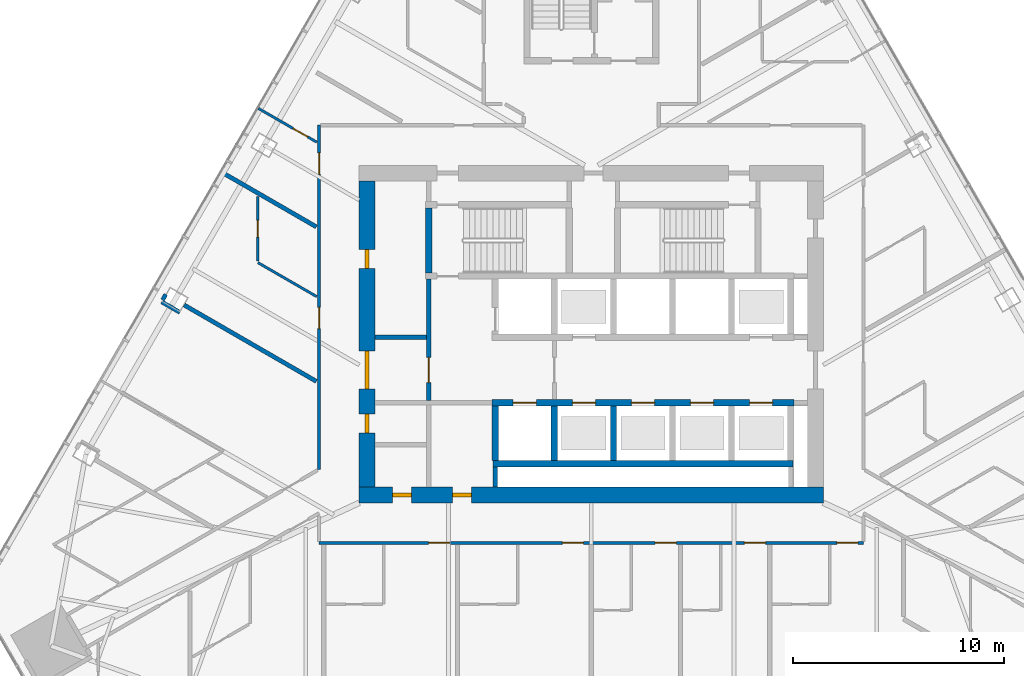
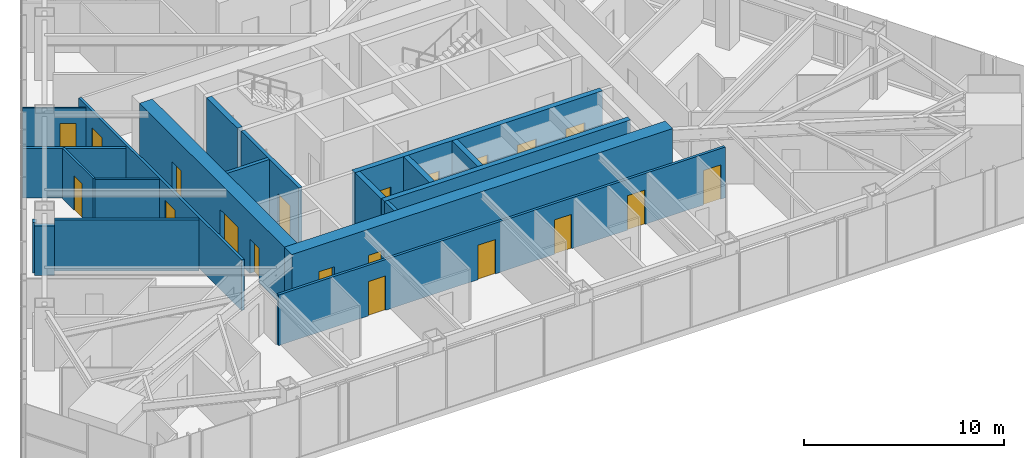
# One storey, part 14 of 20: 20 doors, 20 walls, 20 openings.
"""IFC4 building model written with IfcOpenShell, lengths in metres."""

from ifc_helpers import new_model, si_unit, direction, frame, frame_2d, origin, place, context, subcontext, project, spatial, rectangle, extrude, material, layer, layer_set, type_object, element, fill, save


model = new_model("IFC4")

# Units and contexts
model_context = context("Model", 3, precision=1e-05, world=origin(), true_north=direction((0.0, 1.0)))
body_context = subcontext(model_context, "Body", "Model", "MODEL_VIEW")
ifc_project = project(units=[si_unit("LENGTHUNIT", "METRE"), si_unit("AREAUNIT", "SQUARE_METRE"), si_unit("VOLUMEUNIT", "CUBIC_METRE"), si_unit("PLANEANGLEUNIT", "RADIAN"), si_unit("MASSUNIT", "GRAM", prefix="KILO")], contexts=[model_context])

# Site, building, storey
site_placement = place(None, origin())
site = spatial("IfcSite", under=ifc_project, at=site_placement, CompositionType="ELEMENT")
building_placement = place(site_placement, origin())
building = spatial("IfcBuilding", under=site, at=building_placement, Name="Firuza Gate Tower and Library", CompositionType="ELEMENT")
storey_placement = place(building_placement, frame((0.0, 0.0, 214.300048828125)))
storey = spatial("IfcBuildingStorey", under=building, at=storey_placement, Name="L50", CompositionType="ELEMENT", Elevation=214.300048828125)

# Wall
ifc_material_1 = material(Name="Plasterboard on steel studs", Category="steel")
ifc_layer_1 = layer(ifc_material_1, 0.199951171875)
ifc_layer_set_1 = layer_set([ifc_layer_1], Name="Core partition 200 EI 120")
wall_type_1 = type_object("IfcWallType", Name="Core partition 200 EI 120", PredefinedType="PARTITIONING", material=ifc_layer_set_1)
wall_1_placement = place(storey_placement, frame((64.75, 74.85009765625, 0.0), z_axis=(0.0, 0.0, 1.0), x_axis=(1.0, 0.0, 0.0)))
element("IfcWall", 1, at=wall_1_placement, inside=storey, type_object=wall_type_1, Name="Core partition L50 4", PredefinedType="PARTITIONING", context=body_context, shape_type="SweptSolid", body=[
    extrude(rectangle(XDim=2.449951171875, YDim=0.199951171875, at=frame_2d((1.22509765625, 0.0))), origin(), (0.0, 0.0, 1.0), 3.699951171875),
])

# Wall, opening, door
wall_2_placement = place(storey_placement, frame((67.300048828125, 71.85009765625, 0.0), z_axis=(0.0, 0.0, 1.0), x_axis=(0.0, 1.0, 0.0)))
wall_2 = element("IfcWall", 2, at=wall_2_placement, inside=storey, type_object=wall_type_1, Name="Core partition L50 8", PredefinedType="PARTITIONING", context=body_context, shape_type="SweptSolid", body=[
    extrude(rectangle(XDim=5.75, YDim=0.199951171875, at=frame_2d((2.875, 0.0))), origin(), (0.0, 0.0, 1.0), 3.699951171875),
])
opening_1_placement = place(wall_2_placement, frame((0.85009765625, 0.0, 0.0)))
opening_1 = element("IfcOpeningElement", 3, at=opening_1_placement, cuts=wall_2, Name="Opening L50-K19", PredefinedType="OPENING", context=body_context, shape_type="SweptSolid", body=[
    extrude(rectangle(XDim=1.199951171875, YDim=2.10009765625, at=frame_2d((0.60009765625, 1.050048828125))), frame((0.0, 0.10986328125, 0.0), z_axis=(0.0, -1.0, 0.0), x_axis=(1.0, 0.0, 0.0)), (0.0, 0.0, 1.0), 0.219970703125),
])
ifc_material_2 = material(Name="Steel", Category="steel")
door_type_1 = type_object("IfcDoorType", Name="Fire door 1200x2100 FD90S", OperationType="NOTDEFINED", PredefinedType="DOOR", material=ifc_material_2)
door_1_placement = place(opening_1_placement, origin())
door_1 = element("IfcDoor", 4, at=door_1_placement, inside=storey, type_object=door_type_1, Name="Door L50-K19", OperationType="SINGLE_SWING_RIGHT", OverallHeight=2.10009765625, OverallWidth=1.199951171875, PredefinedType="DOOR", context=body_context, shape_type="SweptSolid", body=[
    extrude(rectangle(XDim=1.199951171875, YDim=2.10009765625, at=frame_2d((0.60009765625, 1.050048828125))), frame((0.0, 0.02490234375, 0.0), z_axis=(0.0, -1.0, 0.0), x_axis=(1.0, 0.0, 0.0)), (0.0, 0.0, 1.0), 0.050048828125),
])
fill(opening_1, door_1)

# Walls
wall_3_placement = place(storey_placement, frame((70.449951171875, 67.75, 0.0), z_axis=(0.0, 0.0, 1.0), x_axis=(0.0, 1.0, 0.0)))
element("IfcWall", 5, at=wall_3_placement, inside=storey, type_object=wall_type_1, Name="Core partition L50 10", PredefinedType="PARTITIONING", context=body_context, shape_type="SweptSolid", body=[
    extrude(rectangle(XDim=0.949951171875, YDim=0.199951171875, at=frame_2d((0.47509765625, 0.0))), origin(), (0.0, 0.0, 1.0), 3.699951171875),
])
ifc_material_3 = material(Name="Concrete C80/95", Category="concrete")
ifc_layer_2 = layer(ifc_material_3, 0.300048828125)
ifc_layer_set_2 = layer_set([ifc_layer_2], Name="Core wall 300 C80/95")
wall_type_2 = type_object("IfcWallType", Name="Core wall 300 C80/95", PredefinedType="SHEAR", material=ifc_layer_set_2)
wall_4_placement = place(storey_placement, frame((70.35009765625, 68.85009765625, 0.0), z_axis=(0.0, 0.0, 1.0), x_axis=(1.0, 0.0, 0.0)))
element("IfcWall", 6, at=wall_4_placement, inside=storey, type_object=wall_type_2, Name="Core wall L50 5", PredefinedType="SHEAR", context=body_context, shape_type="SweptSolid", body=[
    extrude(rectangle(XDim=14.199951171875, YDim=0.300048828125, at=frame_2d((7.10009765625, 0.0))), origin(), (0.0, 0.0, 1.0), 3.699951171875),
])

# Wall, openings, doors
wall_5_placement = place(storey_placement, frame((70.300048828125, 71.75, 0.0), z_axis=(0.0, 0.0, 1.0), x_axis=(1.0, 0.0, 0.0)))
wall_5 = element("IfcWall", 7, at=wall_5_placement, inside=storey, type_object=wall_type_2, Name="Core wall L50 6", PredefinedType="SHEAR", context=body_context, shape_type="SweptSolid", body=[
    extrude(rectangle(XDim=14.300048828125, YDim=0.300048828125, at=frame_2d((7.14990234375, 0.0))), origin(), (0.0, 0.0, 1.0), 3.699951171875),
])
opening_2_placement = place(wall_5_placement, frame((1.0, 0.0, 0.0)))
opening_2 = element("IfcOpeningElement", 8, at=opening_2_placement, cuts=wall_5, Name="Opening LD-FF1-L50", PredefinedType="OPENING", context=body_context, shape_type="SweptSolid", body=[
    extrude(rectangle(XDim=1.10009765625, YDim=2.10009765625, at=frame_2d((0.550048828125, 1.050048828125))), frame((0.0, 0.16015625, 0.0), z_axis=(0.0, -1.0, 0.0), x_axis=(1.0, 0.0, 0.0)), (0.0, 0.0, 1.0), 0.320068359375),
])
opening_3_placement = place(wall_5_placement, frame((3.800048828125, 0.0, 0.0)))
opening_3 = element("IfcOpeningElement", 9, at=opening_3_placement, cuts=wall_5, Name="Opening LD-MR1-L50", PredefinedType="OPENING", context=body_context, shape_type="SweptSolid", body=[
    extrude(rectangle(XDim=1.10009765625, YDim=2.10009765625, at=frame_2d((0.550048828125, 1.050048828125))), frame((0.0, 0.16015625, 0.0), z_axis=(0.0, -1.0, 0.0), x_axis=(1.0, 0.0, 0.0)), (0.0, 0.0, 1.0), 0.320068359375),
])
opening_4_placement = place(wall_5_placement, frame((6.60009765625, 0.0, 0.0)))
opening_4 = element("IfcOpeningElement", 10, at=opening_4_placement, cuts=wall_5, Name="Opening LD-MR2-L50", PredefinedType="OPENING", context=body_context, shape_type="SweptSolid", body=[
    extrude(rectangle(XDim=1.10009765625, YDim=2.10009765625, at=frame_2d((0.550048828125, 1.050048828125))), frame((0.0, 0.16015625, 0.0), z_axis=(0.0, -1.0, 0.0), x_axis=(1.0, 0.0, 0.0)), (0.0, 0.0, 1.0), 0.320068359375),
])
opening_5_placement = place(wall_5_placement, frame((9.39990234375, 0.0, 0.0)))
opening_5 = element("IfcOpeningElement", 11, at=opening_5_placement, cuts=wall_5, Name="Opening LD-MR3-L50", PredefinedType="OPENING", context=body_context, shape_type="SweptSolid", body=[
    extrude(rectangle(XDim=1.10009765625, YDim=2.10009765625, at=frame_2d((0.550048828125, 1.050048828125))), frame((0.0, 0.16015625, 0.0), z_axis=(0.0, -1.0, 0.0), x_axis=(1.0, 0.0, 0.0)), (0.0, 0.0, 1.0), 0.320068359375),
])
opening_6_placement = place(wall_5_placement, frame((12.199951171875, 0.0, 0.0)))
opening_6 = element("IfcOpeningElement", 12, at=opening_6_placement, cuts=wall_5, Name="Opening LD-MR5-L50", PredefinedType="OPENING", context=body_context, shape_type="SweptSolid", body=[
    extrude(rectangle(XDim=1.10009765625, YDim=2.10009765625, at=frame_2d((0.550048828125, 1.050048828125))), frame((0.0, 0.16015625, 0.0), z_axis=(0.0, -1.0, 0.0), x_axis=(1.0, 0.0, 0.0)), (0.0, 0.0, 1.0), 0.320068359375),
])
ifc_material_4 = material(Name="Stainless steel", Category="steel")
door_type_2 = type_object("IfcDoorType", Name="Lift landing door 1100x2100", OperationType="DOUBLE_DOOR_SLIDING", PredefinedType="DOOR", material=ifc_material_4)
door_2_placement = place(opening_2_placement, origin())
door_2 = element("IfcDoor", 13, at=door_2_placement, inside=storey, type_object=door_type_2, Name="Landing door FF1 L50", OperationType="DOUBLE_DOOR_SLIDING", OverallHeight=2.10009765625, OverallWidth=1.10009765625, PredefinedType="DOOR", context=body_context, shape_type="SweptSolid", body=[
    extrude(rectangle(XDim=1.10009765625, YDim=2.10009765625, at=frame_2d((0.550048828125, 1.050048828125))), frame((0.0, 0.02490234375, 0.0), z_axis=(0.0, -1.0, 0.0), x_axis=(1.0, 0.0, 0.0)), (0.0, 0.0, 1.0), 0.050048828125),
])
fill(opening_2, door_2)
door_3_placement = place(opening_3_placement, origin())
door_3 = element("IfcDoor", 14, at=door_3_placement, inside=storey, type_object=door_type_2, Name="Landing door MR1 L50", OperationType="DOUBLE_DOOR_SLIDING", OverallHeight=2.10009765625, OverallWidth=1.10009765625, PredefinedType="DOOR", context=body_context, shape_type="SweptSolid", body=[
    extrude(rectangle(XDim=1.10009765625, YDim=2.10009765625, at=frame_2d((0.550048828125, 1.050048828125))), frame((0.0, 0.02490234375, 0.0), z_axis=(0.0, -1.0, 0.0), x_axis=(1.0, 0.0, 0.0)), (0.0, 0.0, 1.0), 0.050048828125),
])
fill(opening_3, door_3)
door_4_placement = place(opening_4_placement, origin())
door_4 = element("IfcDoor", 15, at=door_4_placement, inside=storey, type_object=door_type_2, Name="Landing door MR2 L50", OperationType="DOUBLE_DOOR_SLIDING", OverallHeight=2.10009765625, OverallWidth=1.10009765625, PredefinedType="DOOR", context=body_context, shape_type="SweptSolid", body=[
    extrude(rectangle(XDim=1.10009765625, YDim=2.10009765625, at=frame_2d((0.550048828125, 1.050048828125))), frame((0.0, 0.02490234375, 0.0), z_axis=(0.0, -1.0, 0.0), x_axis=(1.0, 0.0, 0.0)), (0.0, 0.0, 1.0), 0.050048828125),
])
fill(opening_4, door_4)
door_5_placement = place(opening_5_placement, origin())
door_5 = element("IfcDoor", 16, at=door_5_placement, inside=storey, type_object=door_type_2, Name="Landing door MR3 L50", OperationType="DOUBLE_DOOR_SLIDING", OverallHeight=2.10009765625, OverallWidth=1.10009765625, PredefinedType="DOOR", context=body_context, shape_type="SweptSolid", body=[
    extrude(rectangle(XDim=1.10009765625, YDim=2.10009765625, at=frame_2d((0.550048828125, 1.050048828125))), frame((0.0, 0.02490234375, 0.0), z_axis=(0.0, -1.0, 0.0), x_axis=(1.0, 0.0, 0.0)), (0.0, 0.0, 1.0), 0.050048828125),
])
fill(opening_5, door_5)
door_6_placement = place(opening_6_placement, origin())
door_6 = element("IfcDoor", 17, at=door_6_placement, inside=storey, type_object=door_type_2, Name="Landing door MR5 L50", OperationType="DOUBLE_DOOR_SLIDING", OverallHeight=2.10009765625, OverallWidth=1.10009765625, PredefinedType="DOOR", context=body_context, shape_type="SweptSolid", body=[
    extrude(rectangle(XDim=1.10009765625, YDim=2.10009765625, at=frame_2d((0.550048828125, 1.050048828125))), frame((0.0, 0.02490234375, 0.0), z_axis=(0.0, -1.0, 0.0), x_axis=(1.0, 0.0, 0.0)), (0.0, 0.0, 1.0), 0.050048828125),
])
fill(opening_6, door_6)

# Walls
for number, where, z_axis, x_axis, name in (
    (18, (70.449951171875, 69.0, 0.0), (0.0, 0.0, 1.0), (0.0, 1.0, 0.0), "Core wall L50 8"),
    (19, (73.25, 69.0, 0.0), (0.0, 0.0, 1.0), (0.0, 1.0, 0.0), "Core wall L50 10"),
    (20, (76.050048828125, 69.0, 0.0), (0.0, 0.0, 1.0), (0.0, 1.0, 0.0), "Core wall L50 12"),
):
    element("IfcWall", number, at=place(storey_placement, frame(where, z_axis=z_axis, x_axis=x_axis)), inside=storey, type_object=wall_type_2, Name=name, PredefinedType="SHEAR", context=body_context, shape_type="SweptSolid", body=[
        extrude(rectangle(XDim=2.60009765625, YDim=0.300048828125, at=frame_2d((1.300048828125, 0.0))), origin(), (0.0, 0.0, 1.0), 3.699951171875),
    ])
wall_6_placement = place(storey_placement, frame((67.300048828125, 77.89990234375, 0.0), z_axis=(0.0, 0.0, 1.0), x_axis=(0.0, 1.0, 0.0)))
element("IfcWall", 21, at=wall_6_placement, inside=storey, type_object=wall_type_2, Name="Core wall L50 23", PredefinedType="SHEAR", context=body_context, shape_type="SweptSolid", body=[
    extrude(rectangle(XDim=3.080078125, YDim=0.300048828125, at=frame_2d((1.5400390625, 0.0))), origin(), (0.0, 0.0, 1.0), 3.699951171875),
])

# Wall, openings, doors
ifc_material_5 = material(Name="Concrete C80/95", Category="concrete")
ifc_layer_3 = layer(ifc_material_5, 0.75)
ifc_layer_set_3 = layer_set([ifc_layer_3], Name="Core wall 750 C80/95")
wall_type_3 = type_object("IfcWallType", Name="Core wall 750 C80/95", PredefinedType="SHEAR", material=ifc_layer_set_3)
wall_7_placement = place(storey_placement, frame((64.0, 67.375, 0.0), z_axis=(0.0, 0.0, 1.0), x_axis=(1.0, 0.0, 0.0)))
wall_7 = element("IfcWall", 22, at=wall_7_placement, inside=storey, type_object=wall_type_3, Name="Core wall L50 1", PredefinedType="SHEAR", context=body_context, shape_type="SweptSolid", body=[
    extrude(rectangle(XDim=22.0, YDim=0.75, at=frame_2d((11.0, 0.0))), origin(), (0.0, 0.0, 1.0), 3.699951171875),
])
opening_7_placement = place(wall_7_placement, frame((1.574951171875, 0.0, 0.0)))
opening_7 = element("IfcOpeningElement", 23, at=opening_7_placement, cuts=wall_7, Name="Opening L50-K22", PredefinedType="OPENING", context=body_context, shape_type="SweptSolid", body=[
    extrude(rectangle(XDim=0.89990234375, YDim=2.10009765625, at=frame_2d((0.449951171875, 1.050048828125))), frame((0.0, 0.385009765625, 0.0), z_axis=(0.0, -1.0, 0.0), x_axis=(1.0, 0.0, 0.0)), (0.0, 0.0, 1.0), 0.77001953125),
])
opening_8_placement = place(wall_7_placement, frame((4.425048828125, 0.0, 0.0)))
opening_8 = element("IfcOpeningElement", 24, at=opening_8_placement, cuts=wall_7, Name="Opening L50-K24", PredefinedType="OPENING", context=body_context, shape_type="SweptSolid", body=[
    extrude(rectangle(XDim=0.89990234375, YDim=2.10009765625, at=frame_2d((0.449951171875, 1.050048828125))), frame((0.0, 0.385009765625, 0.0), z_axis=(0.0, -1.0, 0.0), x_axis=(1.0, 0.0, 0.0)), (0.0, 0.0, 1.0), 0.77001953125),
])
ifc_material_6 = material(Name="Steel", Category="steel")
door_type_3 = type_object("IfcDoorType", Name="Fire door 900x2100 FD30S", OperationType="NOTDEFINED", PredefinedType="DOOR", material=ifc_material_6)
door_7_placement = place(opening_7_placement, origin())
door_7 = element("IfcDoor", 25, at=door_7_placement, inside=storey, type_object=door_type_3, Name="Door L50-K22", OperationType="SINGLE_SWING_LEFT", OverallHeight=2.10009765625, OverallWidth=0.89990234375, PredefinedType="DOOR", context=body_context, shape_type="SweptSolid", body=[
    extrude(rectangle(XDim=0.89990234375, YDim=2.10009765625, at=frame_2d((0.449951171875, 1.050048828125))), frame((0.0, 0.094970703125, 0.0), z_axis=(0.0, -1.0, 0.0), x_axis=(1.0, 0.0, 0.0)), (0.0, 0.0, 1.0), 0.18994140625),
])
fill(opening_7, door_7)
door_8_placement = place(opening_8_placement, origin())
door_8 = element("IfcDoor", 26, at=door_8_placement, inside=storey, type_object=door_type_3, Name="Door L50-K24", OperationType="SINGLE_SWING_LEFT", OverallHeight=2.10009765625, OverallWidth=0.89990234375, PredefinedType="DOOR", context=body_context, shape_type="SweptSolid", body=[
    extrude(rectangle(XDim=0.89990234375, YDim=2.10009765625, at=frame_2d((0.449951171875, 1.050048828125))), frame((0.0, 0.094970703125, 0.0), z_axis=(0.0, -1.0, 0.0), x_axis=(1.0, 0.0, 0.0)), (0.0, 0.0, 1.0), 0.18994140625),
])
fill(opening_8, door_8)

wall_8_placement = place(storey_placement, frame((64.375, 67.75, 0.0), z_axis=(0.0, 0.0, 1.0), x_axis=(0.0, 1.0, 0.0)))
wall_8 = element("IfcWall", 27, at=wall_8_placement, inside=storey, type_object=wall_type_3, Name="Core wall L50 3", PredefinedType="SHEAR", context=body_context, shape_type="SweptSolid", body=[
    extrude(rectangle(XDim=14.5, YDim=0.75, at=frame_2d((7.25, 0.0))), origin(), (0.0, 0.0, 1.0), 3.699951171875),
])
opening_9_placement = place(wall_8_placement, frame((4.64990234375, 0.0, 0.0)))
opening_9 = element("IfcOpeningElement", 28, at=opening_9_placement, cuts=wall_8, Name="Opening L50-K20", PredefinedType="OPENING", context=body_context, shape_type="SweptSolid", body=[
    extrude(rectangle(XDim=1.800048828125, YDim=2.10009765625, at=frame_2d((0.89990234375, 1.050048828125))), frame((0.0, 0.385009765625, 0.0), z_axis=(0.0, -1.0, 0.0), x_axis=(1.0, 0.0, 0.0)), (0.0, 0.0, 1.0), 0.77001953125),
])
opening_10_placement = place(wall_8_placement, frame((2.550048828125, 0.0, 0.0)))
opening_10 = element("IfcOpeningElement", 29, at=opening_10_placement, cuts=wall_8, Name="Opening L50-K23", PredefinedType="OPENING", context=body_context, shape_type="SweptSolid", body=[
    extrude(rectangle(XDim=0.89990234375, YDim=2.10009765625, at=frame_2d((0.449951171875, 1.050048828125))), frame((0.0, 0.385009765625, 0.0), z_axis=(0.0, -1.0, 0.0), x_axis=(1.0, 0.0, 0.0)), (0.0, 0.0, 1.0), 0.77001953125),
])
opening_11_placement = place(wall_8_placement, frame((10.35009765625, 0.0, 0.0)))
opening_11 = element("IfcOpeningElement", 30, at=opening_11_placement, cuts=wall_8, Name="Opening L50-K25", PredefinedType="OPENING", context=body_context, shape_type="SweptSolid", body=[
    extrude(rectangle(XDim=0.89990234375, YDim=2.10009765625, at=frame_2d((0.449951171875, 1.050048828125))), frame((0.0, 0.385009765625, 0.0), z_axis=(0.0, -1.0, 0.0), x_axis=(1.0, 0.0, 0.0)), (0.0, 0.0, 1.0), 0.77001953125),
])
ifc_material_7 = material(Name="Steel", Category="steel")
door_type_4 = type_object("IfcDoorType", Name="Fire door 1800x2100 FD30S", OperationType="NOTDEFINED", PredefinedType="DOOR", material=ifc_material_7)
door_9_placement = place(opening_9_placement, origin())
door_9 = element("IfcDoor", 31, at=door_9_placement, inside=storey, type_object=door_type_4, Name="Door L50-K20", OperationType="SINGLE_SWING_LEFT", OverallHeight=2.10009765625, OverallWidth=1.800048828125, PredefinedType="DOOR", context=body_context, shape_type="SweptSolid", body=[
    extrude(rectangle(XDim=1.800048828125, YDim=2.10009765625, at=frame_2d((0.89990234375, 1.050048828125))), frame((0.0, 0.094970703125, 0.0), z_axis=(0.0, -1.0, 0.0), x_axis=(1.0, 0.0, 0.0)), (0.0, 0.0, 1.0), 0.18994140625),
])
fill(opening_9, door_9)
door_10_placement = place(opening_10_placement, origin())
door_10 = element("IfcDoor", 32, at=door_10_placement, inside=storey, type_object=door_type_3, Name="Door L50-K23", OperationType="SINGLE_SWING_RIGHT", OverallHeight=2.10009765625, OverallWidth=0.89990234375, PredefinedType="DOOR", context=body_context, shape_type="SweptSolid", body=[
    extrude(rectangle(XDim=0.89990234375, YDim=2.10009765625, at=frame_2d((0.449951171875, 1.050048828125))), frame((0.0, 0.094970703125, 0.0), z_axis=(0.0, -1.0, 0.0), x_axis=(1.0, 0.0, 0.0)), (0.0, 0.0, 1.0), 0.18994140625),
])
fill(opening_10, door_10)
door_11_placement = place(opening_11_placement, origin())
door_11 = element("IfcDoor", 33, at=door_11_placement, inside=storey, type_object=door_type_3, Name="Door L50-K25", OperationType="SINGLE_SWING_RIGHT", OverallHeight=2.10009765625, OverallWidth=0.89990234375, PredefinedType="DOOR", context=body_context, shape_type="SweptSolid", body=[
    extrude(rectangle(XDim=0.89990234375, YDim=2.10009765625, at=frame_2d((0.449951171875, 1.050048828125))), frame((0.0, 0.094970703125, 0.0), z_axis=(0.0, -1.0, 0.0), x_axis=(1.0, 0.0, 0.0)), (0.0, 0.0, 1.0), 0.18994140625),
])
fill(opening_11, door_11)

ifc_material_8 = material(Name="Gypsum board partition")
ifc_layer_4 = layer(ifc_material_8, 0.14990234375)
ifc_layer_set_4 = layer_set([ifc_layer_4], Name="Corridor wall 150 double board on steel studs")
wall_type_4 = type_object("IfcWallType", Name="Corridor wall 150 double board on steel studs", PredefinedType="PARTITIONING", material=ifc_layer_set_4)
wall_9_placement = place(storey_placement, frame((87.8994140625, 65.10009765625, 0.0), z_axis=(0.0, 0.0, 1.0), x_axis=(-1.0, 0.0, 0.0)))
wall_9 = element("IfcWall", 34, at=wall_9_placement, inside=storey, type_object=wall_type_4, Name="f:L50:w008", PredefinedType="PARTITIONING", context=body_context, shape_type="SweptSolid", body=[
    extrude(rectangle(XDim=25.798828125, YDim=0.14990234375, at=frame_2d((12.8994140625, 0.0))), origin(), (0.0, 0.0, 1.0), 3.099853515625),
])
opening_12_placement = place(wall_9_placement, frame((0.259033203125, 0.0, 0.0)))
opening_12 = element("IfcOpeningElement", 35, at=opening_12_placement, cuts=wall_9, Name="Opening L50-06", PredefinedType="OPENING", context=body_context, shape_type="SweptSolid", body=[
    extrude(rectangle(XDim=1.0, YDim=2.10009765625, at=frame_2d((0.5, 1.050048828125))), frame((0.0, 0.0849609375, 0.0), z_axis=(0.0, -1.0, 0.0), x_axis=(1.0, 0.0, 0.0)), (0.0, 0.0, 1.0), 0.169921875),
])
opening_13_placement = place(wall_9_placement, frame((4.640625, 0.0, 0.0)))
opening_13 = element("IfcOpeningElement", 36, at=opening_13_placement, cuts=wall_9, Name="Opening L50-07", PredefinedType="OPENING", context=body_context, shape_type="SweptSolid", body=[
    extrude(rectangle(XDim=1.0, YDim=2.10009765625, at=frame_2d((0.5, 1.050048828125))), frame((0.0, 0.0849609375, 0.0), z_axis=(0.0, -1.0, 0.0), x_axis=(1.0, 0.0, 0.0)), (0.0, 0.0, 1.0), 0.169921875),
])
opening_14_placement = place(wall_9_placement, frame((8.868408203125, 0.0, 0.0)))
opening_14 = element("IfcOpeningElement", 37, at=opening_14_placement, cuts=wall_9, Name="Opening L50-08", PredefinedType="OPENING", context=body_context, shape_type="SweptSolid", body=[
    extrude(rectangle(XDim=1.0, YDim=2.10009765625, at=frame_2d((0.5, 1.050048828125))), frame((0.0, 0.0849609375, 0.0), z_axis=(0.0, -1.0, 0.0), x_axis=(1.0, 0.0, 0.0)), (0.0, 0.0, 1.0), 0.169921875),
])
opening_15_placement = place(wall_9_placement, frame((13.2705078125, 0.0, 0.0)))
opening_15 = element("IfcOpeningElement", 38, at=opening_15_placement, cuts=wall_9, Name="Opening L50-09", PredefinedType="OPENING", context=body_context, shape_type="SweptSolid", body=[
    extrude(rectangle(XDim=1.0, YDim=2.10009765625, at=frame_2d((0.5, 1.050048828125))), frame((0.0, 0.0849609375, 0.0), z_axis=(0.0, -1.0, 0.0), x_axis=(1.0, 0.0, 0.0)), (0.0, 0.0, 1.0), 0.169921875),
])
opening_16_placement = place(wall_9_placement, frame((19.6123046875, 0.0, 0.0)))
opening_16 = element("IfcOpeningElement", 39, at=opening_16_placement, cuts=wall_9, Name="Opening L50-10", PredefinedType="OPENING", context=body_context, shape_type="SweptSolid", body=[
    extrude(rectangle(XDim=1.0, YDim=2.10009765625, at=frame_2d((0.5, 1.050048828125))), frame((0.0, 0.0849609375, 0.0), z_axis=(0.0, -1.0, 0.0), x_axis=(1.0, 0.0, 0.0)), (0.0, 0.0, 1.0), 0.169921875),
])
ifc_material_9 = material(Name="Steel door and timber leaf", Category="steel")
door_type_5 = type_object("IfcDoorType", Name="Fire door 1000 x 2100 steel frame, timber leaf", OperationType="NOTDEFINED", PredefinedType="DOOR", material=ifc_material_9)
door_12_placement = place(opening_12_placement, origin())
door_12 = element("IfcDoor", 40, at=door_12_placement, inside=storey, type_object=door_type_5, Name="f:L50:d006", OperationType="SINGLE_SWING_RIGHT", OverallHeight=2.10009765625, OverallWidth=1.0, PredefinedType="DOOR", context=body_context, shape_type="SweptSolid", body=[
    extrude(rectangle(XDim=1.0, YDim=2.10009765625, at=frame_2d((0.5, 1.050048828125))), frame((0.0, 0.02490234375, 0.0), z_axis=(0.0, -1.0, 0.0), x_axis=(1.0, 0.0, 0.0)), (0.0, 0.0, 1.0), 0.050048828125),
])
fill(opening_12, door_12)
door_13_placement = place(opening_13_placement, origin())
door_13 = element("IfcDoor", 41, at=door_13_placement, inside=storey, type_object=door_type_5, Name="f:L50:d007", OperationType="SINGLE_SWING_RIGHT", OverallHeight=2.10009765625, OverallWidth=1.0, PredefinedType="DOOR", context=body_context, shape_type="SweptSolid", body=[
    extrude(rectangle(XDim=1.0, YDim=2.10009765625, at=frame_2d((0.5, 1.050048828125))), frame((0.0, 0.02490234375, 0.0), z_axis=(0.0, -1.0, 0.0), x_axis=(1.0, 0.0, 0.0)), (0.0, 0.0, 1.0), 0.050048828125),
])
fill(opening_13, door_13)
door_14_placement = place(opening_14_placement, origin())
door_14 = element("IfcDoor", 42, at=door_14_placement, inside=storey, type_object=door_type_5, Name="f:L50:d008", OperationType="SINGLE_SWING_RIGHT", OverallHeight=2.10009765625, OverallWidth=1.0, PredefinedType="DOOR", context=body_context, shape_type="SweptSolid", body=[
    extrude(rectangle(XDim=1.0, YDim=2.10009765625, at=frame_2d((0.5, 1.050048828125))), frame((0.0, 0.02490234375, 0.0), z_axis=(0.0, -1.0, 0.0), x_axis=(1.0, 0.0, 0.0)), (0.0, 0.0, 1.0), 0.050048828125),
])
fill(opening_14, door_14)
door_15_placement = place(opening_15_placement, origin())
door_15 = element("IfcDoor", 43, at=door_15_placement, inside=storey, type_object=door_type_5, Name="f:L50:d009", OperationType="SINGLE_SWING_RIGHT", OverallHeight=2.10009765625, OverallWidth=1.0, PredefinedType="DOOR", context=body_context, shape_type="SweptSolid", body=[
    extrude(rectangle(XDim=1.0, YDim=2.10009765625, at=frame_2d((0.5, 1.050048828125))), frame((0.0, 0.02490234375, 0.0), z_axis=(0.0, -1.0, 0.0), x_axis=(1.0, 0.0, 0.0)), (0.0, 0.0, 1.0), 0.050048828125),
])
fill(opening_15, door_15)
door_16_placement = place(opening_16_placement, origin())
door_16 = element("IfcDoor", 44, at=door_16_placement, inside=storey, type_object=door_type_5, Name="f:L50:d010", OperationType="SINGLE_SWING_RIGHT", OverallHeight=2.10009765625, OverallWidth=1.0, PredefinedType="DOOR", context=body_context, shape_type="SweptSolid", body=[
    extrude(rectangle(XDim=1.0, YDim=2.10009765625, at=frame_2d((0.5, 1.050048828125))), frame((0.0, 0.02490234375, 0.0), z_axis=(0.0, -1.0, 0.0), x_axis=(1.0, 0.0, 0.0)), (0.0, 0.0, 1.0), 0.050048828125),
])
fill(opening_16, door_16)

wall_10_placement = place(storey_placement, frame((62.10009765625, 68.59130859375, 0.0), z_axis=(0.0, 0.0, 1.0), x_axis=(0.0, 1.0, 0.0)))
wall_10 = element("IfcWall", 45, at=wall_10_placement, inside=storey, type_object=wall_type_4, Name="f:L50:w082", PredefinedType="PARTITIONING", context=body_context, shape_type="SweptSolid", body=[
    extrude(rectangle(XDim=16.30859375, YDim=0.14990234375, at=frame_2d((8.154296875, 0.0))), origin(), (0.0, 0.0, 1.0), 3.099853515625),
])
opening_17_placement = place(wall_10_placement, frame((6.66845703125, 0.0, 0.0)))
opening_17 = element("IfcOpeningElement", 46, at=opening_17_placement, cuts=wall_10, Name="Opening L50-37", PredefinedType="OPENING", context=body_context, shape_type="SweptSolid", body=[
    extrude(rectangle(XDim=1.0, YDim=2.10009765625, at=frame_2d((0.5, 1.050048828125))), frame((0.0, 0.0849609375, 0.0), z_axis=(0.0, -1.0, 0.0), x_axis=(1.0, 0.0, 0.0)), (0.0, 0.0, 1.0), 0.169921875),
])
opening_18_placement = place(wall_10_placement, frame((13.991455078125, 0.0, 0.0)))
opening_18 = element("IfcOpeningElement", 47, at=opening_18_placement, cuts=wall_10, Name="Opening L50-38", PredefinedType="OPENING", context=body_context, shape_type="SweptSolid", body=[
    extrude(rectangle(XDim=1.0, YDim=2.10009765625, at=frame_2d((0.5, 1.050048828125))), frame((0.0, 0.0849609375, 0.0), z_axis=(0.0, -1.0, 0.0), x_axis=(1.0, 0.0, 0.0)), (0.0, 0.0, 1.0), 0.169921875),
])
door_17_placement = place(opening_17_placement, origin())
door_17 = element("IfcDoor", 48, at=door_17_placement, inside=storey, type_object=door_type_5, Name="f:L50:d037", OperationType="SINGLE_SWING_RIGHT", OverallHeight=2.10009765625, OverallWidth=1.0, PredefinedType="DOOR", context=body_context, shape_type="SweptSolid", body=[
    extrude(rectangle(XDim=1.0, YDim=2.10009765625, at=frame_2d((0.5, 1.050048828125))), frame((0.0, 0.02490234375, 0.0), z_axis=(0.0, -1.0, 0.0), x_axis=(1.0, 0.0, 0.0)), (0.0, 0.0, 1.0), 0.050048828125),
])
fill(opening_17, door_17)
door_18_placement = place(opening_18_placement, origin())
door_18 = element("IfcDoor", 49, at=door_18_placement, inside=storey, type_object=door_type_5, Name="f:L50:d038", OperationType="SINGLE_SWING_RIGHT", OverallHeight=2.10009765625, OverallWidth=1.0, PredefinedType="DOOR", context=body_context, shape_type="SweptSolid", body=[
    extrude(rectangle(XDim=1.0, YDim=2.10009765625, at=frame_2d((0.5, 1.050048828125))), frame((0.0, 0.02490234375, 0.0), z_axis=(0.0, -1.0, 0.0), x_axis=(1.0, 0.0, 0.0)), (0.0, 0.0, 1.0), 0.050048828125),
])
fill(opening_18, door_18)

# Walls
ifc_material_10 = material(Name="Gypsum board partition")
ifc_layer_5 = layer(ifc_material_10, 0.199951171875)
ifc_layer_set_5 = layer_set([ifc_layer_5], Name="Demising wall 200 acoustic double stud")
wall_type_5 = type_object("IfcWallType", Name="Demising wall 200 acoustic double stud", PredefinedType="PARTITIONING", material=ifc_layer_set_5)
wall_11_placement = place(storey_placement, frame((54.684814453125, 76.618896484375, 0.0), z_axis=(0.0, 0.0, 1.0), x_axis=(0.499816412211, 0.866131372301, 0.0)))
element("IfcWall", 50, at=wall_11_placement, inside=storey, type_object=wall_type_5, Name="f:L50:w046", PredefinedType="PARTITIONING", context=body_context, shape_type="SweptSolid", body=[
    extrude(rectangle(XDim=0.2998046875, YDim=0.199951171875, at=frame_2d((0.14990234375, 0.0))), origin(), (0.0, 0.0, 1.0), 3.099853515625),
])
wall_12_placement = place(storey_placement, frame((61.97314453125, 80.080078125, 0.0), z_axis=(0.0, 0.0, 1.0), x_axis=(-0.86601608377, 0.500016142392, 0.0)))
element("IfcWall", 51, at=wall_12_placement, inside=storey, type_object=wall_type_5, Name="f:L50:w109", PredefinedType="PARTITIONING", context=body_context, shape_type="SweptSolid", body=[
    extrude(rectangle(XDim=5.180908203125, YDim=0.199951171875, at=frame_2d((2.59033203125, 0.0))), origin(), (0.0, 0.0, 1.0), 3.02197265625),
])
wall_13_placement = place(storey_placement, frame((61.972900390625, 72.757080078125, 0.0), z_axis=(0.0, 0.0, 1.0), x_axis=(-0.866027278279, 0.499996753267, 0.0)))
element("IfcWall", 52, at=wall_13_placement, inside=storey, type_object=wall_type_5, Name="f:L50:w112", PredefinedType="PARTITIONING", context=body_context, shape_type="SweptSolid", body=[
    extrude(rectangle(XDim=7.2421875, YDim=0.199951171875, at=frame_2d((3.62109375, 0.0))), origin(), (0.0, 0.0, 1.0), 3.099853515625),
])
wall_14_placement = place(storey_placement, frame((55.5009765625, 76.03173828125, 0.0), z_axis=(0.0, 0.0, 1.0), x_axis=(-0.866010750942, 0.50002537861, 0.0)))
element("IfcWall", 53, at=wall_14_placement, inside=storey, type_object=wall_type_5, Name="f:L50:w113", PredefinedType="PARTITIONING", context=body_context, shape_type="SweptSolid", body=[
    extrude(rectangle(XDim=1.0, YDim=0.199951171875, at=frame_2d((0.5, 0.0))), origin(), (0.0, 0.0, 1.0), 3.02197265625),
])

# Wall, opening, door
ifc_material_11 = material(Name="Gypsum board partition")
ifc_layer_6 = layer(ifc_material_11, 0.1201171875)
ifc_layer_set_6 = layer_set([ifc_layer_6], Name="Wet-area partition 120 moisture-resistant board")
wall_type_6 = type_object("IfcWallType", Name="Wet-area partition 120 moisture-resistant board", PredefinedType="PARTITIONING", material=ifc_layer_set_6)
wall_15_placement = place(storey_placement, frame((59.199951171875, 81.525634765625, 0.0), z_axis=(0.0, 0.0, 1.0), x_axis=(0.0, -1.0, 0.0)))
wall_15 = element("IfcWall", 54, at=wall_15_placement, inside=storey, type_object=wall_type_6, Name="f:L50:w083", PredefinedType="PARTITIONING", context=body_context, shape_type="SweptSolid", body=[
    extrude(rectangle(XDim=3.0703125, YDim=0.1201171875, at=frame_2d((1.53515625, 0.0))), origin(), (0.0, 0.0, 1.0), 3.099853515625),
])
opening_19_placement = place(wall_15_placement, frame((1.13525390625, 0.0, 0.0)))
opening_19 = element("IfcOpeningElement", 55, at=opening_19_placement, cuts=wall_15, Name="Opening L50-39", PredefinedType="OPENING", context=body_context, shape_type="SweptSolid", body=[
    extrude(rectangle(XDim=0.800048828125, YDim=2.10009765625, at=frame_2d((0.39990234375, 1.050048828125))), frame((0.0, 0.070068359375, 0.0), z_axis=(0.0, -1.0, 0.0), x_axis=(1.0, 0.0, 0.0)), (0.0, 0.0, 1.0), 0.14013671875),
])
ifc_material_12 = material(Name="Timber door", Category="wood")
door_type_6 = type_object("IfcDoorType", Name="Door 800 x 2100 timber leaf", OperationType="NOTDEFINED", PredefinedType="DOOR", material=ifc_material_12)
door_19_placement = place(opening_19_placement, origin())
door_19 = element("IfcDoor", 56, at=door_19_placement, inside=storey, type_object=door_type_6, Name="f:L50:d039", OperationType="SINGLE_SWING_RIGHT", OverallHeight=2.10009765625, OverallWidth=0.800048828125, PredefinedType="DOOR", context=body_context, shape_type="SweptSolid", body=[
    extrude(rectangle(XDim=0.800048828125, YDim=2.10009765625, at=frame_2d((0.39990234375, 1.050048828125))), frame((0.0, 0.02490234375, 0.0), z_axis=(0.0, -1.0, 0.0), x_axis=(1.0, 0.0, 0.0)), (0.0, 0.0, 1.0), 0.050048828125),
])
fill(opening_19, door_19)

wall_16_placement = place(storey_placement, frame((59.230224609375, 85.691162109375, 0.0), z_axis=(0.0, 0.0, 1.0), x_axis=(0.866042722185, -0.49997000245, 0.0)))
wall_16 = element("IfcWall", 57, at=wall_16_placement, inside=storey, type_object=wall_type_6, Name="f:L50:w106", PredefinedType="PARTITIONING", context=body_context, shape_type="SweptSolid", body=[
    extrude(rectangle(XDim=3.187255859375, YDim=0.1201171875, at=frame_2d((1.59375, 0.0))), origin(), (0.0, 0.0, 1.0), 3.02197265625),
])
opening_20_placement = place(wall_16_placement, frame((1.8935546875, 0.0, 0.0)))
opening_20 = element("IfcOpeningElement", 58, at=opening_20_placement, cuts=wall_16, Name="Opening L50-42", PredefinedType="OPENING", context=body_context, shape_type="SweptSolid", body=[
    extrude(rectangle(XDim=0.800048828125, YDim=2.10009765625, at=frame_2d((0.39990234375, 1.050048828125))), frame((0.0, 0.070068359375, 0.0), z_axis=(0.0, -1.0, 0.0), x_axis=(1.0, 0.0, 0.0)), (0.0, 0.0, 1.0), 0.14013671875),
])
door_20_placement = place(opening_20_placement, origin())
door_20 = element("IfcDoor", 59, at=door_20_placement, inside=storey, type_object=door_type_6, Name="f:L50:d042", OperationType="SINGLE_SWING_RIGHT", OverallHeight=2.10009765625, OverallWidth=0.800048828125, PredefinedType="DOOR", context=body_context, shape_type="SweptSolid", body=[
    extrude(rectangle(XDim=0.800048828125, YDim=2.10009765625, at=frame_2d((0.39990234375, 1.050048828125))), frame((0.0, 0.02490234375, 0.0), z_axis=(0.0, -1.0, 0.0), x_axis=(1.0, 0.0, 0.0)), (0.0, 0.0, 1.0), 0.050048828125),
])
fill(opening_20, door_20)

# Wall
wall_17_placement = place(storey_placement, frame((61.990234375, 76.774658203125, 0.0), z_axis=(0.0, 0.0, 1.0), x_axis=(-0.866010186656, 0.500026355914, 0.0)))
element("IfcWall", 60, at=wall_17_placement, inside=storey, type_object=wall_type_6, Name="f:L50:w111", PredefinedType="PARTITIONING", context=body_context, shape_type="SweptSolid", body=[
    extrude(rectangle(XDim=3.221923828125, YDim=0.1201171875, at=frame_2d((1.61083984375, 0.0))), origin(), (0.0, 0.0, 1.0), 3.099853515625),
])

save(model, "model.ifc")
